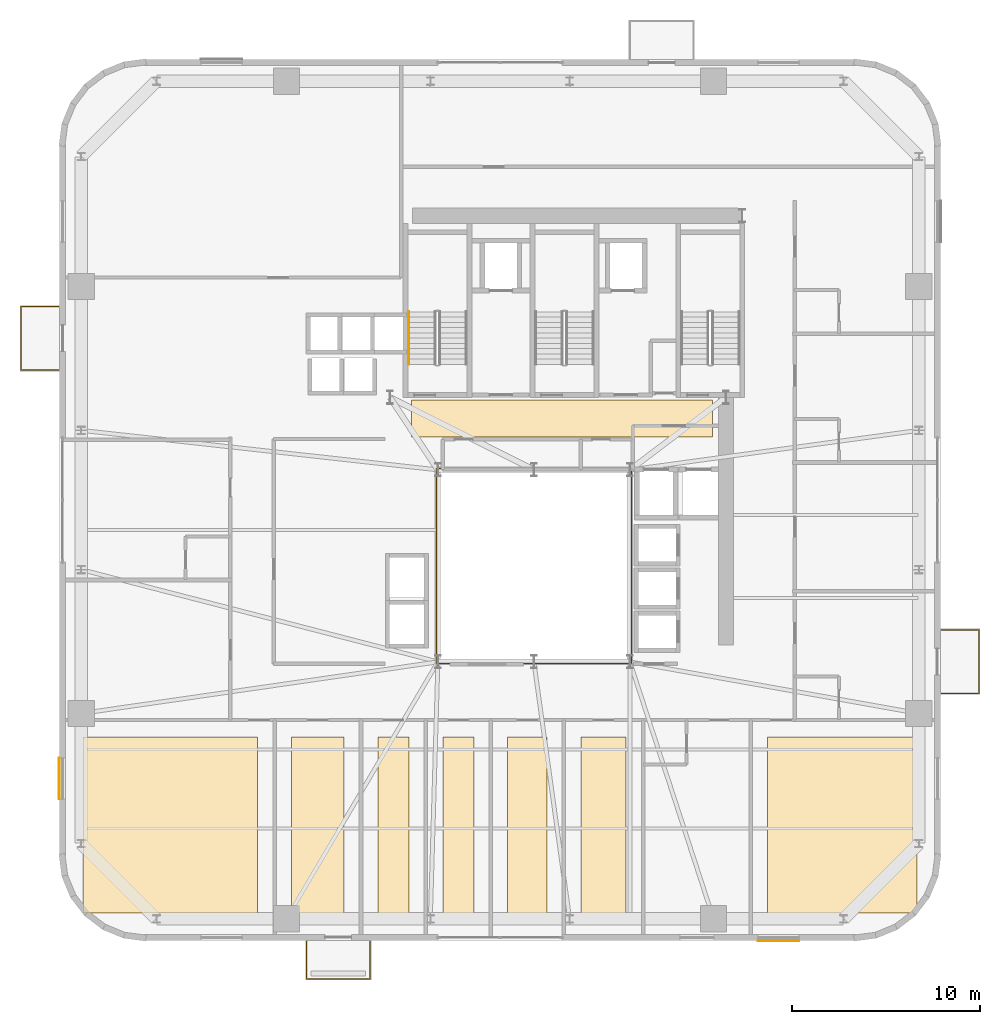
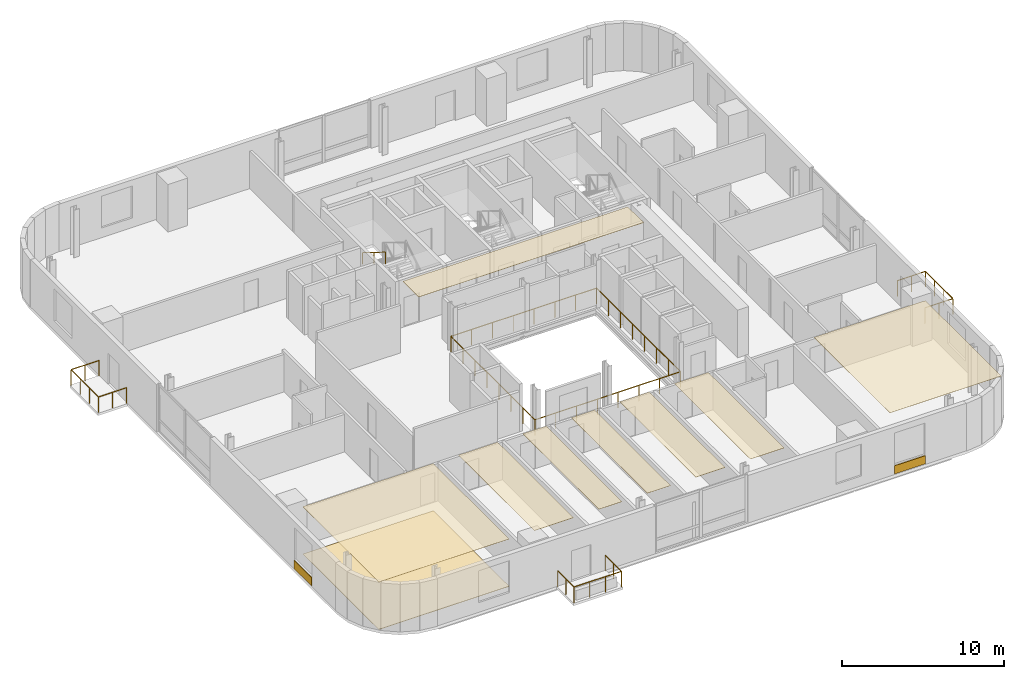
# One storey, part 12 of 14: 11 coverings, 5 railings.
"""IFC4 building model written with IfcOpenShell, lengths in metres."""

import ifcopenshell
import ifcopenshell.guid

model = None  # the IFC model being written
_history = None  # IfcOwnerHistory: only IFC2X3 demands one
_inside = {}  # id of a spatial element -> (the spatial element, [elements in it])
_under = {}  # id of a project, library or spatial element -> (it, [spatial elements below it])
_declared = {}  # id of a project -> (the project, [libraries it declares])
_typed = {}  # id of a type object -> (the type object, [elements of that type])
_made_of = {}  # id of a material, layer set ... -> (it, [elements and type objects made of it])


def new_model(schema):
    """Start an empty IFC model of exactly this schema.

    Asked for "IFC4X3", IfcOpenShell would pick the latest addendum, in which some entities
    have other attributes; the version numbers below select the first issue.
    IFC2X3 requires an IfcOwnerHistory on every rooted entity: one is made here for all.
    """
    global model, _history
    if schema == "IFC4X3":
        model = ifcopenshell.file(schema_version=(4, 3, 0, 0))
    else:
        model = ifcopenshell.file(schema=schema)
    _inside.clear()
    _under.clear()
    _declared.clear()
    _typed.clear()
    _made_of.clear()
    _history = None
    if model.schema == "IFC2X3":
        org = make("IfcOrganization", Name="unknown")
        user = make(
            "IfcPersonAndOrganization",
            ThePerson=make("IfcPerson", FamilyName="unknown"),
            TheOrganization=org,
        )
        app = make(
            "IfcApplication",
            ApplicationDeveloper=org,
            Version="unknown",
            ApplicationFullName="unknown",
            ApplicationIdentifier="unknown",
        )
        _history = make(
            "IfcOwnerHistory",
            OwningUser=user,
            OwningApplication=app,
            ChangeAction="ADDED",
            CreationDate=0,
        )
    return model


def make(cls, **values):
    """One entity of the class cls with the attributes given. An attribute that is None is left unset."""
    return model.create_entity(
        cls, **{name: value for name, value in values.items() if value is not None}
    )


def rooted(cls, **values):
    """An entity with a GlobalId (a new one), such as an element, a storey or a relation."""
    return make(cls, GlobalId=ifcopenshell.guid.new(), OwnerHistory=_history, **values)


def si_unit(unit_type, name, prefix=None):
    """IfcSIUnit, for example si_unit("LENGTHUNIT", "METRE", prefix="MILLI")."""
    return make("IfcSIUnit", UnitType=unit_type, Prefix=prefix, Name=name)


def assignment(units):
    """IfcUnitAssignment: the units of a project."""
    return None if units is None else make("IfcUnitAssignment", Units=units)


def point(xyz):
    """IfcCartesianPoint."""
    return None if xyz is None else make("IfcCartesianPoint", Coordinates=xyz)


def direction(xyz):
    """IfcDirection."""
    return None if xyz is None else make("IfcDirection", DirectionRatios=xyz)


def frame(location, z_axis=None, x_axis=None):
    """IfcAxis2Placement3D, a coordinate frame: its origin and axes. An axis left out is left unset."""
    return make(
        "IfcAxis2Placement3D",
        Location=point(location),
        Axis=direction(z_axis),
        RefDirection=direction(x_axis),
    )


def frame_2d(location, x_axis=None):
    """IfcAxis2Placement2D, a coordinate frame in the plane: its origin and x axis."""
    return make(
        "IfcAxis2Placement2D", Location=point(location), RefDirection=direction(x_axis)
    )


def origin():
    """The frame at (0, 0, 0) with its axes left unset."""
    return frame((0.0, 0.0, 0.0))


def origin_2d():
    """The frame at (0, 0) in the plane with its x axis left unset."""
    return frame_2d((0.0, 0.0))


def place(relative_to, where):
    """IfcLocalPlacement: puts the frame where relative to a parent placement (None: the world)."""
    return make(
        "IfcLocalPlacement", PlacementRelTo=relative_to, RelativePlacement=where
    )


def context(
    kind, dimensions, precision=None, world=None, true_north=None, identifier=None
):
    """IfcGeometricRepresentationContext, for example the 3D "Model" context."""
    return make(
        "IfcGeometricRepresentationContext",
        ContextIdentifier=identifier,
        ContextType=kind,
        CoordinateSpaceDimension=dimensions,
        Precision=precision,
        WorldCoordinateSystem=world,
        TrueNorth=true_north,
    )


def subcontext(parent, identifier, kind, view, scale=None):
    """IfcGeometricRepresentationSubContext, for example "Body" below "Model"."""
    return make(
        "IfcGeometricRepresentationSubContext",
        ContextIdentifier=identifier,
        ContextType=kind,
        ParentContext=parent,
        TargetScale=scale,
        TargetView=view,
    )


def project(units=None, contexts=None):
    """IfcProject with its units and contexts."""
    return rooted(
        "IfcProject",
        Name="project",
        RepresentationContexts=contexts,
        UnitsInContext=assignment(units),
    )


def spatial(cls, under=None, at=None, **own):
    """A site, building, storey or space (cls), placed at a placement, below another one or the project."""
    s = rooted(cls, ObjectPlacement=at, **own)
    if under is not None:
        _under.setdefault(under.id(), (under, []))[1].append(s)
    return s


def polyline(points):
    """IfcPolyline through the points."""
    return make("IfcPolyline", Points=[point(p) for p in points])


def profile(cls, at=None, kind="AREA", **sizes):
    """A parametric profile (cls). Its sizes go by their IFC names, for example OverallWidth=200.0."""
    return make(cls, ProfileType=kind, Position=at, **sizes)


def rectangle(**sizes):
    """IfcRectangleProfileDef."""
    return profile("IfcRectangleProfileDef", **sizes)


def outline(outer, holes=None, kind="AREA"):
    """IfcArbitraryClosedProfileDef: a profile drawn as a closed curve; with holes, ...WithVoids."""
    if holes is None:
        return make("IfcArbitraryClosedProfileDef", ProfileType=kind, OuterCurve=outer)
    return make(
        "IfcArbitraryProfileDefWithVoids",
        ProfileType=kind,
        OuterCurve=outer,
        InnerCurves=holes,
    )


def extrude(swept, where, along, depth):
    """IfcExtrudedAreaSolid: the profile swept, set in the frame where, extruded along a direction by depth."""
    return make(
        "IfcExtrudedAreaSolid",
        SweptArea=swept,
        Position=where,
        ExtrudedDirection=direction(along),
        Depth=depth,
    )


def shape(context_of_items, identifier, shape_type, items):
    """IfcShapeRepresentation: the items that make up one representation, for example the "Body"."""
    return make(
        "IfcShapeRepresentation",
        ContextOfItems=context_of_items,
        RepresentationIdentifier=identifier,
        RepresentationType=shape_type,
        Items=items,
    )


def source(mapping_origin, context_of_items, identifier, shape_type, items):
    """IfcRepresentationMap: a shape defined once, which mapped items show again and again."""
    return make(
        "IfcRepresentationMap",
        MappingOrigin=mapping_origin,
        MappedRepresentation=shape(context_of_items, identifier, shape_type, items),
    )


def transform(
    local_origin,
    x_axis=None,
    y_axis=None,
    z_axis=None,
    scale=None,
    scale2=None,
    scale3=None,
    uniform=True,
):
    """IfcCartesianTransformationOperator3D, or its non-uniform kind. x_axis, y_axis, z_axis: its Axis1, 2, 3."""
    if uniform:
        return make(
            "IfcCartesianTransformationOperator3D",
            Axis1=direction(x_axis),
            Axis2=direction(y_axis),
            LocalOrigin=point(local_origin),
            Scale=scale,
            Axis3=direction(z_axis),
        )
    return make(
        "IfcCartesianTransformationOperator3DnonUniform",
        Axis1=direction(x_axis),
        Axis2=direction(y_axis),
        LocalOrigin=point(local_origin),
        Scale=scale,
        Axis3=direction(z_axis),
        Scale2=scale2,
        Scale3=scale3,
    )


def mapped(mapping_source, mapping_target):
    """IfcMappedItem: shows the shape of a source again, moved by a transform."""
    return make(
        "IfcMappedItem", MappingSource=mapping_source, MappingTarget=mapping_target
    )


def material(Name=None, Category=None):
    """IfcMaterial."""
    return make("IfcMaterial", Name=Name, Category=Category)


def layer(
    of_material, thickness, ventilated=None, Name=None, Category=None, Priority=None
):
    """IfcMaterialLayer: one layer of a wall or slab, of a material (None: an air gap)."""
    return make(
        "IfcMaterialLayer",
        Material=of_material,
        LayerThickness=thickness,
        IsVentilated=ventilated,
        Name=Name,
        Category=Category,
        Priority=Priority,
    )


def layer_set(layers, Name=None):
    """IfcMaterialLayerSet."""
    return make("IfcMaterialLayerSet", MaterialLayers=layers, LayerSetName=Name)


def made_of(thing, what):
    """Note that an element or type object is made of a material, layer set ...; save() writes the relation."""
    if what is not None:
        _made_of.setdefault(what.id(), (what, []))[1].append(thing)
    return thing


def type_object(cls, material=None, **own):
    """A type object (cls), such as IfcWallType, which elements share."""
    return made_of(rooted(cls, **own), material)


def element(
    cls,
    number,
    at=None,
    inside=None,
    cuts=None,
    type_object=None,
    material=None,
    context=None,
    identifier="Body",
    shape_type=None,
    held_by="IfcProductDefinitionShape",
    body=None,
    shapes=None,
    **own,
):
    """One element of the class cls, such as IfcWall. Its Tag is "e" and its number.

    at: its placement. inside: the storey or other place that contains it. cuts: it is an
    opening in that element (IfcRelVoidsElement). A single representation is given by context,
    identifier, shape_type and body (its items); several are given by shapes. held_by: the class
    of the entity that holds the representations. save() writes the other relations.
    """
    e = rooted(cls, Tag="e%d" % number, ObjectPlacement=at, **own)
    if body is not None:
        shapes = [shape(context, identifier, shape_type, body)]
    if shapes is not None:
        e.Representation = make(held_by, Representations=shapes)
    if inside is not None:
        _inside.setdefault(inside.id(), (inside, []))[1].append(e)
    if cuts is not None:
        rooted(
            "IfcRelVoidsElement", RelatingBuildingElement=cuts, RelatedOpeningElement=e
        )
    if type_object is not None:
        _typed.setdefault(type_object.id(), (type_object, []))[1].append(e)
    return made_of(e, material)


def aggregate(whole, parts):
    """IfcRelAggregates: a whole, such as a stair, and the parts it consists of."""
    return rooted("IfcRelAggregates", RelatingObject=whole, RelatedObjects=parts)


def save(model, path):
    """Write the relations noted so far, then the file.

    IfcRelAggregates (storeys below a building ...), IfcRelContainedInSpatialStructure (elements
    in a storey), IfcRelDefinesByType, IfcRelAssociatesMaterial and IfcRelDeclares: one each for
    every whole, place, type object, material and project.
    """
    for whole, parts in _under.values():
        aggregate(whole, parts)
    for where, things in _inside.values():
        rooted(
            "IfcRelContainedInSpatialStructure",
            RelatedElements=things,
            RelatingStructure=where,
        )
    for kind, things in _typed.values():
        rooted("IfcRelDefinesByType", RelatedObjects=things, RelatingType=kind)
    for what, things in _made_of.values():
        rooted("IfcRelAssociatesMaterial", RelatedObjects=things, RelatingMaterial=what)
    for by, libraries in _declared.values():
        rooted("IfcRelDeclares", RelatingContext=by, RelatedDefinitions=libraries)
    model.write(path)


model = new_model("IFC4")

# Units and contexts
model_context = context("Model", 3, precision=1e-05, world=origin(), true_north=direction((0.0, 1.0)))
body_context = subcontext(model_context, "Body", "Model", "MODEL_VIEW")
ifc_project = project(units=[si_unit("LENGTHUNIT", "METRE"), si_unit("AREAUNIT", "SQUARE_METRE"), si_unit("VOLUMEUNIT", "CUBIC_METRE"), si_unit("PLANEANGLEUNIT", "RADIAN"), si_unit("MASSUNIT", "GRAM", prefix="KILO")], contexts=[model_context])

# Site, building, storey
site_placement = place(None, origin())
site = spatial("IfcSite", under=ifc_project, at=site_placement, CompositionType="ELEMENT")
building_placement = place(site_placement, origin())
building = spatial("IfcBuilding", under=site, at=building_placement, Name="Vardaveli Station Tower", CompositionType="ELEMENT")
storey_placement = place(building_placement, frame((0.0, 0.0, 177.199951171875)))
storey = spatial("IfcBuildingStorey", under=building, at=storey_placement, Name="L45", CompositionType="ELEMENT", Elevation=177.199951171875)

# Coverings
ifc_material_1 = material(Name="Perforated acoustic mineral ceiling")
ifc_layer_1 = layer(ifc_material_1, 0.02001953125, Name="Perforated acoustic mineral ceiling")
ifc_layer_set_1 = layer_set([ifc_layer_1], Name="Perforated acoustic mineral ceiling")
covering_type_1 = type_object("IfcCoveringType", Name="COV-CEIL-AC20", PredefinedType="CEILING", material=ifc_layer_set_1)
covering_1_placement = place(storey_placement, frame((0.0, 0.0, 3.56494140625)))
element("IfcCovering", 1, at=covering_1_placement, inside=storey, type_object=covering_type_1, Name="CEIL-L45-1", PredefinedType="CEILING", context=body_context, shape_type="SweptSolid", body=[
    extrude(outline(polyline([(12.35009765625, 3.25), (21.6298828125, 3.25), (21.6298828125, 12.610107421875), (12.35009765625, 12.610107421875), (12.35009765625, 3.25)])), origin(), (0.0, 0.0, 1.0), 0.02001953125),
])
covering_2_placement = place(storey_placement, frame((0.0, 0.0, 3.56494140625)))
element("IfcCovering", 2, at=covering_2_placement, inside=storey, type_object=covering_type_1, Name="CEIL-L45-2", PredefinedType="CEILING", context=body_context, shape_type="SweptSolid", body=[
    extrude(outline(polyline([(23.429931640625, 3.25), (26.21044921875, 3.25), (26.21044921875, 12.610107421875), (23.429931640625, 12.610107421875), (23.429931640625, 3.25)])), origin(), (0.0, 0.0, 1.0), 0.02001953125),
])
covering_3_placement = place(storey_placement, frame((0.0, 0.0, 3.56494140625)))
element("IfcCovering", 3, at=covering_3_placement, inside=storey, type_object=covering_type_1, Name="CEIL-L45-3", PredefinedType="CEILING", context=body_context, shape_type="SweptSolid", body=[
    extrude(outline(polyline([(28.010498046875, 3.25), (29.660400390625, 3.25), (29.660400390625, 12.610107421875), (28.010498046875, 12.610107421875), (28.010498046875, 3.25)])), origin(), (0.0, 0.0, 1.0), 0.02001953125),
])
covering_4_placement = place(storey_placement, frame((0.0, 0.0, 3.56494140625)))
element("IfcCovering", 4, at=covering_4_placement, inside=storey, type_object=covering_type_1, Name="CEIL-L45-4", PredefinedType="CEILING", context=body_context, shape_type="SweptSolid", body=[
    extrude(outline(polyline([(31.46044921875, 3.25), (33.1103515625, 3.25), (33.1103515625, 12.610107421875), (31.46044921875, 12.610107421875), (31.46044921875, 3.25)])), origin(), (0.0, 0.0, 1.0), 0.02001953125),
])
covering_5_placement = place(storey_placement, frame((0.0, 0.0, 3.56494140625)))
element("IfcCovering", 5, at=covering_5_placement, inside=storey, type_object=covering_type_1, Name="CEIL-L45-5", PredefinedType="CEILING", context=body_context, shape_type="SweptSolid", body=[
    extrude(outline(polyline([(34.910400390625, 3.25), (36.989990234375, 3.25), (36.989990234375, 12.610107421875), (34.910400390625, 12.610107421875), (34.910400390625, 3.25)])), origin(), (0.0, 0.0, 1.0), 0.02001953125),
])
covering_6_placement = place(storey_placement, frame((0.0, 0.0, 3.56494140625)))
element("IfcCovering", 6, at=covering_6_placement, inside=storey, type_object=covering_type_1, Name="CEIL-L45-6", PredefinedType="CEILING", context=body_context, shape_type="SweptSolid", body=[
    extrude(outline(polyline([(38.7900390625, 3.25), (41.205078125, 3.25), (41.205078125, 12.610107421875), (38.7900390625, 12.610107421875), (38.7900390625, 3.25)])), origin(), (0.0, 0.0, 1.0), 0.02001953125),
])
covering_7_placement = place(storey_placement, frame((0.0, 0.0, 3.56494140625)))
element("IfcCovering", 7, at=covering_7_placement, inside=storey, type_object=covering_type_1, Name="CEIL-L45-7", PredefinedType="CEILING", context=body_context, shape_type="SweptSolid", body=[
    extrude(outline(polyline([(48.719970703125, 3.25), (56.64990234375, 3.25), (56.64990234375, 12.610107421875), (48.719970703125, 12.610107421875), (48.719970703125, 3.25)])), origin(), (0.0, 0.0, 1.0), 0.02001953125),
])
covering_8_placement = place(storey_placement, frame((0.0, 0.0, 3.56494140625)))
element("IfcCovering", 8, at=covering_8_placement, inside=storey, type_object=covering_type_1, Name="CEIL-L45-8", PredefinedType="CEILING", context=body_context, shape_type="SweptSolid", body=[
    extrude(outline(polyline([(29.800048828125, 28.550048828125), (45.800048828125, 28.550048828125), (45.800048828125, 30.5), (29.800048828125, 30.5), (29.800048828125, 28.550048828125)])), origin(), (0.0, 0.0, 1.0), 0.02001953125),
])
ifc_material_2 = material(Name="Honed Caucasian basalt and travertine flooring", Category="masonry")
ifc_layer_2 = layer(ifc_material_2, 0.030029296875, Name="Honed Caucasian basalt and travertine flooring")
ifc_layer_set_2 = layer_set([ifc_layer_2], Name="Honed Caucasian basalt and travertine flooring")
covering_type_2 = type_object("IfcCoveringType", Name="COV-FLOOR-ST30", PredefinedType="FLOORING", material=ifc_layer_set_2)
covering_9_placement = place(storey_placement, origin())
element("IfcCovering", 9, at=covering_9_placement, inside=storey, type_object=covering_type_2, Name="FLR-L45-1", PredefinedType="FLOORING", context=body_context, shape_type="SweptSolid", body=[
    extrude(outline(polyline([(12.35009765625, 3.25), (21.6298828125, 3.25), (21.6298828125, 12.610107421875), (12.35009765625, 12.610107421875), (12.35009765625, 3.25)])), origin(), (0.0, 0.0, 1.0), 0.030029296875),
])
ifc_material_3 = material(Name="Ventilated honed travertine stone cladding", Category="masonry")
ifc_layer_3 = layer(ifc_material_3, 0.044921875, Name="Ventilated honed travertine stone cladding")
ifc_layer_set_3 = layer_set([ifc_layer_3], Name="Ventilated honed travertine stone cladding")
covering_type_3 = type_object("IfcCoveringType", Name="COV-CLAD-TR45", PredefinedType="CLADDING", material=ifc_layer_set_3)
shared_shape_1 = source(origin(), body_context, "Body", "SweptSolid", [
    extrude(rectangle(XDim=2.199951171875, YDim=0.044921875, at=origin_2d()), origin(), (0.0, 0.0, 1.0), 0.6201171875),
])
for number, where, z_axis, x_axis, name in (
    (10, (49.294921875, 1.785400390625, 0.070068359375), (0.0, 0.0, 1.0), (1.0, 0.0, 0.0), "CLD-TR-L45-S"),
    (11, (11.08544921875, 10.405029296875, 0.070068359375), (0.0, 0.0, 1.0), (0.0, 1.0, 0.0), "CLD-TR-L45-W"),
):
    element("IfcCovering", number, at=place(storey_placement, frame(where, z_axis=z_axis, x_axis=x_axis)), inside=storey, type_object=covering_type_3, Name=name, PredefinedType="CLADDING", context=body_context, shape_type="MappedRepresentation", body=[
        mapped(shared_shape_1, transform((0.0, 0.0, 0.0), scale=1.0)),
    ])

# Railings
ifc_material_4 = material(Name="Laminated glass and stainless steel balustrade", Category="steel")
railing_type_1 = type_object("IfcRailingType", Name="RL-BAL-1200", PredefinedType="BALUSTRADE", material=ifc_material_4)
shared_shape_2 = source(origin(), body_context, "Body", "SweptSolid", [
    extrude(rectangle(XDim=0.048095703125, YDim=0.048095703125, at=origin_2d()), frame((0.0, 0.0, 1.17578125), z_axis=(0.0, -1.0, 0.0), x_axis=(1.0, 0.0, 0.0)), (0.0, 0.0, 1.0), 2.0),
    extrude(rectangle(XDim=0.048095703125, YDim=0.048095703125, at=origin_2d()), frame((0.0, -2.0, 1.17578125), z_axis=(1.0, 0.0, 0.0), x_axis=(0.0, 1.0, 0.0)), (0.0, 0.0, 1.0), 3.3798828125),
    extrude(rectangle(XDim=0.048095703125, YDim=0.048095703125, at=origin_2d()), frame((3.3798828125, -2.0, 1.17578125), z_axis=(0.0, 1.0, 0.0), x_axis=(-1.0, 0.0, 0.0)), (0.0, 0.0, 1.0), 2.0),
    extrude(rectangle(XDim=0.0419921875, YDim=0.0419921875, at=origin_2d()), origin(), (0.0, 0.0, 1.0), 1.15185546875),
    extrude(rectangle(XDim=0.0419921875, YDim=0.0419921875, at=origin_2d()), frame((0.0, -1.0, 0.0)), (0.0, 0.0, 1.0), 1.15185546875),
    extrude(rectangle(XDim=0.0419921875, YDim=0.0419921875, at=origin_2d()), frame((0.0, -2.0, 0.0)), (0.0, 0.0, 1.0), 1.15185546875),
    extrude(rectangle(XDim=0.0419921875, YDim=0.0419921875, at=origin_2d()), frame((1.126708984375, -2.0, 0.0)), (0.0, 0.0, 1.0), 1.15185546875),
    extrude(rectangle(XDim=0.0419921875, YDim=0.0419921875, at=origin_2d()), frame((2.253173828125, -2.0, 0.0)), (0.0, 0.0, 1.0), 1.15185546875),
    extrude(rectangle(XDim=0.0419921875, YDim=0.0419921875, at=origin_2d()), frame((3.3798828125, -2.0, 0.0)), (0.0, 0.0, 1.0), 1.15185546875),
    extrude(rectangle(XDim=0.0419921875, YDim=0.0419921875, at=origin_2d()), frame((3.3798828125, -1.0, 0.0)), (0.0, 0.0, 1.0), 1.15185546875),
    extrude(rectangle(XDim=0.0419921875, YDim=0.0419921875, at=origin_2d()), frame((3.3798828125, 0.0, 0.0)), (0.0, 0.0, 1.0), 1.15185546875),
])
railing_1_placement = place(storey_placement, frame((24.220458984375, 1.760009765625, 0.0)))
element("IfcRailing", 12, at=railing_1_placement, inside=storey, type_object=railing_type_1, Name="RL-LOG-L45-01", PredefinedType="BALUSTRADE", context=body_context, shape_type="MappedRepresentation", body=[
    mapped(shared_shape_2, transform((0.0, 0.0, 0.0), scale=1.0)),
])
shared_shape_3 = source(origin(), body_context, "Body", "SweptSolid", [
    extrude(rectangle(XDim=0.048095703125, YDim=0.048095703125, at=origin_2d()), frame((0.0, 0.0, 1.17578125), z_axis=(1.0, 0.0, 0.0), x_axis=(0.0, 1.0, 0.0)), (0.0, 0.0, 1.0), 2.0),
    extrude(rectangle(XDim=0.048095703125, YDim=0.048095703125, at=origin_2d()), frame((2.0, 0.0, 1.17578125), z_axis=(0.0, 1.0, 0.0), x_axis=(-1.0, 0.0, 0.0)), (0.0, 0.0, 1.0), 3.3798828125),
    extrude(rectangle(XDim=0.048095703125, YDim=0.048095703125, at=origin_2d()), frame((2.0, 3.3798828125, 1.17578125), z_axis=(-1.0, 0.0, 0.0), x_axis=(0.0, -1.0, 0.0)), (0.0, 0.0, 1.0), 2.0),
    extrude(rectangle(XDim=0.0419921875, YDim=0.0419921875, at=origin_2d()), origin(), (0.0, 0.0, 1.0), 1.15185546875),
    extrude(rectangle(XDim=0.0419921875, YDim=0.0419921875, at=origin_2d()), frame((1.0, 0.0, 0.0)), (0.0, 0.0, 1.0), 1.15185546875),
    extrude(rectangle(XDim=0.0419921875, YDim=0.0419921875, at=origin_2d()), frame((2.0, 0.0, 0.0)), (0.0, 0.0, 1.0), 1.15185546875),
    extrude(rectangle(XDim=0.0419921875, YDim=0.0419921875, at=origin_2d()), frame((2.0, 1.126708984375, 0.0)), (0.0, 0.0, 1.0), 1.15185546875),
    extrude(rectangle(XDim=0.0419921875, YDim=0.0419921875, at=origin_2d()), frame((2.0, 2.253173828125, 0.0)), (0.0, 0.0, 1.0), 1.15185546875),
    extrude(rectangle(XDim=0.0419921875, YDim=0.0419921875, at=origin_2d()), frame((2.0, 3.3798828125, 0.0)), (0.0, 0.0, 1.0), 1.15185546875),
    extrude(rectangle(XDim=0.0419921875, YDim=0.0419921875, at=origin_2d()), frame((1.0, 3.3798828125, 0.0)), (0.0, 0.0, 1.0), 1.15185546875),
    extrude(rectangle(XDim=0.0419921875, YDim=0.0419921875, at=origin_2d()), frame((0.0, 3.3798828125, 0.0)), (0.0, 0.0, 1.0), 1.15185546875),
])
railing_2_placement = place(storey_placement, frame((57.93994140625, 14.92041015625, 0.0)))
element("IfcRailing", 13, at=railing_2_placement, inside=storey, type_object=railing_type_1, Name="RL-LOG-L45-04", PredefinedType="BALUSTRADE", context=body_context, shape_type="MappedRepresentation", body=[
    mapped(shared_shape_3, transform((0.0, 0.0, 0.0), scale=1.0)),
])
shared_shape_4 = source(origin(), body_context, "Body", "SweptSolid", [
    extrude(rectangle(XDim=0.048095703125, YDim=0.048095703125, at=origin_2d()), frame((0.0, 0.0, 1.17578125), z_axis=(-1.0, 0.0, 0.0), x_axis=(0.0, -1.0, 0.0)), (0.0, 0.0, 1.0), 2.0),
    extrude(rectangle(XDim=0.048095703125, YDim=0.048095703125, at=origin_2d()), frame((-2.0, 0.0, 1.17578125), z_axis=(0.0, 1.0, 0.0), x_axis=(-1.0, 0.0, 0.0)), (0.0, 0.0, 1.0), 3.3798828125),
    extrude(rectangle(XDim=0.048095703125, YDim=0.048095703125, at=origin_2d()), frame((-2.0, 3.3798828125, 1.17578125), z_axis=(1.0, 0.0, 0.0), x_axis=(0.0, 1.0, 0.0)), (0.0, 0.0, 1.0), 2.0),
    extrude(rectangle(XDim=0.0419921875, YDim=0.0419921875, at=origin_2d()), origin(), (0.0, 0.0, 1.0), 1.15185546875),
    extrude(rectangle(XDim=0.0419921875, YDim=0.0419921875, at=origin_2d()), frame((-1.0, 0.0, 0.0)), (0.0, 0.0, 1.0), 1.15185546875),
    extrude(rectangle(XDim=0.0419921875, YDim=0.0419921875, at=origin_2d()), frame((-2.0, 0.0, 0.0)), (0.0, 0.0, 1.0), 1.15185546875),
    extrude(rectangle(XDim=0.0419921875, YDim=0.0419921875, at=origin_2d()), frame((-2.0, 1.126708984375, 0.0)), (0.0, 0.0, 1.0), 1.15185546875),
    extrude(rectangle(XDim=0.0419921875, YDim=0.0419921875, at=origin_2d()), frame((-2.0, 2.253173828125, 0.0)), (0.0, 0.0, 1.0), 1.15185546875),
    extrude(rectangle(XDim=0.0419921875, YDim=0.0419921875, at=origin_2d()), frame((-2.0, 3.3798828125, 0.0)), (0.0, 0.0, 1.0), 1.15185546875),
    extrude(rectangle(XDim=0.0419921875, YDim=0.0419921875, at=origin_2d()), frame((-1.0, 3.3798828125, 0.0)), (0.0, 0.0, 1.0), 1.15185546875),
    extrude(rectangle(XDim=0.0419921875, YDim=0.0419921875, at=origin_2d()), frame((0.0, 3.3798828125, 0.0)), (0.0, 0.0, 1.0), 1.15185546875),
])
railing_3_placement = place(storey_placement, frame((11.06005859375, 32.099609375, 0.0)))
element("IfcRailing", 14, at=railing_3_placement, inside=storey, type_object=railing_type_1, Name="RL-LOG-L45-03", PredefinedType="BALUSTRADE", context=body_context, shape_type="MappedRepresentation", body=[
    mapped(shared_shape_4, transform((0.0, 0.0, 0.0), scale=1.0)),
])
ifc_material_5 = material(Name="Brushed AISI 316 stainless steel", Category="steel")
railing_type_2 = type_object("IfcRailingType", Name="RL-HAND-900", PredefinedType="HANDRAIL", material=ifc_material_5)
shared_shape_5 = source(origin(), body_context, "Body", "SweptSolid", [
    extrude(rectangle(XDim=0.048095703125, YDim=0.048095703125, at=origin_2d()), frame((0.0, 0.0, 0.8759765625), z_axis=(0.0, -0.851089632645, 0.525020415988), x_axis=(1.0, 0.0, 0.0)), (0.0, 0.0, 1.0), 3.2900390625),
    extrude(rectangle(XDim=0.0419921875, YDim=0.0419921875, at=origin_2d()), origin(), (0.0, 0.0, 1.0), 0.851806640625),
    extrude(rectangle(XDim=0.0419921875, YDim=0.0419921875, at=origin_2d()), frame((0.0, -1.39990234375, 0.86376953125)), (0.0, 0.0, 1.0), 0.851806640625),
    extrude(rectangle(XDim=0.0419921875, YDim=0.0419921875, at=origin_2d()), frame((0.0, -2.800048828125, 1.727294921875)), (0.0, 0.0, 1.0), 0.851806640625),
])
railing_4_placement = place(storey_placement, frame((29.64990234375, 35.199951171875, 2.07275390625)))
element("IfcRailing", 15, at=railing_4_placement, inside=storey, type_object=railing_type_2, Name="L45 ST-1 stair handrail 2", PredefinedType="HANDRAIL", context=body_context, shape_type="MappedRepresentation", body=[
    mapped(shared_shape_5, transform((0.0, 0.0, 0.0), scale=1.0)),
])
shared_shape_6 = source(origin(), body_context, "Body", "SweptSolid", [
    extrude(rectangle(XDim=0.048095703125, YDim=0.048095703125, at=origin_2d()), frame((0.0, 0.0, 1.17578125), z_axis=(1.0, 0.0, 0.0), x_axis=(0.0, 1.0, 0.0)), (0.0, 0.0, 1.0), 10.35986328125),
    extrude(rectangle(XDim=0.048095703125, YDim=0.048095703125, at=origin_2d()), frame((10.35986328125, 0.0, 1.17578125), z_axis=(0.0, 1.0, 0.0), x_axis=(-1.0, 0.0, 0.0)), (0.0, 0.0, 1.0), 10.35986328125),
    extrude(rectangle(XDim=0.048095703125, YDim=0.048095703125, at=origin_2d()), frame((10.35986328125, 10.35986328125, 1.17578125), z_axis=(-1.0, 0.0, 0.0), x_axis=(0.0, -1.0, 0.0)), (0.0, 0.0, 1.0), 10.35986328125),
    extrude(rectangle(XDim=0.048095703125, YDim=0.048095703125, at=origin_2d()), frame((0.0, 10.35986328125, 1.17578125), z_axis=(0.0, -1.0, 0.0), x_axis=(1.0, 0.0, 0.0)), (0.0, 0.0, 1.0), 10.35986328125),
    extrude(rectangle(XDim=0.0419921875, YDim=0.0419921875, at=origin_2d()), origin(), (0.0, 0.0, 1.0), 1.15185546875),
    extrude(rectangle(XDim=0.0419921875, YDim=0.0419921875, at=origin_2d()), frame((1.47998046875, 0.0, 0.0)), (0.0, 0.0, 1.0), 1.15185546875),
    extrude(rectangle(XDim=0.0419921875, YDim=0.0419921875, at=origin_2d()), frame((2.9599609375, 0.0, 0.0)), (0.0, 0.0, 1.0), 1.15185546875),
    extrude(rectangle(XDim=0.0419921875, YDim=0.0419921875, at=origin_2d()), frame((4.43994140625, 0.0, 0.0)), (0.0, 0.0, 1.0), 1.15185546875),
    extrude(rectangle(XDim=0.0419921875, YDim=0.0419921875, at=origin_2d()), frame((5.919921875, 0.0, 0.0)), (0.0, 0.0, 1.0), 1.15185546875),
    extrude(rectangle(XDim=0.0419921875, YDim=0.0419921875, at=origin_2d()), frame((7.39990234375, 0.0, 0.0)), (0.0, 0.0, 1.0), 1.15185546875),
    extrude(rectangle(XDim=0.0419921875, YDim=0.0419921875, at=origin_2d()), frame((8.8798828125, 0.0, 0.0)), (0.0, 0.0, 1.0), 1.15185546875),
    extrude(rectangle(XDim=0.0419921875, YDim=0.0419921875, at=origin_2d()), frame((10.35986328125, 0.0, 0.0)), (0.0, 0.0, 1.0), 1.15185546875),
    extrude(rectangle(XDim=0.0419921875, YDim=0.0419921875, at=origin_2d()), frame((10.35986328125, 1.47998046875, 0.0)), (0.0, 0.0, 1.0), 1.15185546875),
    extrude(rectangle(XDim=0.0419921875, YDim=0.0419921875, at=origin_2d()), frame((10.35986328125, 2.9599609375, 0.0)), (0.0, 0.0, 1.0), 1.15185546875),
    extrude(rectangle(XDim=0.0419921875, YDim=0.0419921875, at=origin_2d()), frame((10.35986328125, 4.43994140625, 0.0)), (0.0, 0.0, 1.0), 1.15185546875),
    extrude(rectangle(XDim=0.0419921875, YDim=0.0419921875, at=origin_2d()), frame((10.35986328125, 5.919921875, 0.0)), (0.0, 0.0, 1.0), 1.15185546875),
    extrude(rectangle(XDim=0.0419921875, YDim=0.0419921875, at=origin_2d()), frame((10.35986328125, 7.39990234375, 0.0)), (0.0, 0.0, 1.0), 1.15185546875),
    extrude(rectangle(XDim=0.0419921875, YDim=0.0419921875, at=origin_2d()), frame((10.35986328125, 8.8798828125, 0.0)), (0.0, 0.0, 1.0), 1.15185546875),
    extrude(rectangle(XDim=0.0419921875, YDim=0.0419921875, at=origin_2d()), frame((10.35986328125, 10.35986328125, 0.0)), (0.0, 0.0, 1.0), 1.15185546875),
    extrude(rectangle(XDim=0.0419921875, YDim=0.0419921875, at=origin_2d()), frame((8.8798828125, 10.35986328125, 0.0)), (0.0, 0.0, 1.0), 1.15185546875),
    extrude(rectangle(XDim=0.0419921875, YDim=0.0419921875, at=origin_2d()), frame((7.39990234375, 10.35986328125, 0.0)), (0.0, 0.0, 1.0), 1.15185546875),
    extrude(rectangle(XDim=0.0419921875, YDim=0.0419921875, at=origin_2d()), frame((5.919921875, 10.35986328125, 0.0)), (0.0, 0.0, 1.0), 1.15185546875),
    extrude(rectangle(XDim=0.0419921875, YDim=0.0419921875, at=origin_2d()), frame((4.43994140625, 10.35986328125, 0.0)), (0.0, 0.0, 1.0), 1.15185546875),
    extrude(rectangle(XDim=0.0419921875, YDim=0.0419921875, at=origin_2d()), frame((2.9599609375, 10.35986328125, 0.0)), (0.0, 0.0, 1.0), 1.15185546875),
    extrude(rectangle(XDim=0.0419921875, YDim=0.0419921875, at=origin_2d()), frame((1.47998046875, 10.35986328125, 0.0)), (0.0, 0.0, 1.0), 1.15185546875),
    extrude(rectangle(XDim=0.0419921875, YDim=0.0419921875, at=origin_2d()), frame((0.0, 10.35986328125, 0.0)), (0.0, 0.0, 1.0), 1.15185546875),
    extrude(rectangle(XDim=0.0419921875, YDim=0.0419921875, at=origin_2d()), frame((0.0, 8.8798828125, 0.0)), (0.0, 0.0, 1.0), 1.15185546875),
    extrude(rectangle(XDim=0.0419921875, YDim=0.0419921875, at=origin_2d()), frame((0.0, 7.39990234375, 0.0)), (0.0, 0.0, 1.0), 1.15185546875),
    extrude(rectangle(XDim=0.0419921875, YDim=0.0419921875, at=origin_2d()), frame((0.0, 5.919921875, 0.0)), (0.0, 0.0, 1.0), 1.15185546875),
    extrude(rectangle(XDim=0.0419921875, YDim=0.0419921875, at=origin_2d()), frame((0.0, 4.43994140625, 0.0)), (0.0, 0.0, 1.0), 1.15185546875),
    extrude(rectangle(XDim=0.0419921875, YDim=0.0419921875, at=origin_2d()), frame((0.0, 2.9599609375, 0.0)), (0.0, 0.0, 1.0), 1.15185546875),
    extrude(rectangle(XDim=0.0419921875, YDim=0.0419921875, at=origin_2d()), frame((0.0, 1.47998046875, 0.0)), (0.0, 0.0, 1.0), 1.15185546875),
])
railing_5_placement = place(storey_placement, frame((31.1201171875, 16.52001953125, 0.0)))
element("IfcRailing", 16, at=railing_5_placement, inside=storey, type_object=railing_type_1, Name="RL-ATR-L45", PredefinedType="BALUSTRADE", context=body_context, shape_type="MappedRepresentation", body=[
    mapped(shared_shape_6, transform((0.0, 0.0, 0.0), scale=1.0)),
])

save(model, "model.ifc")
